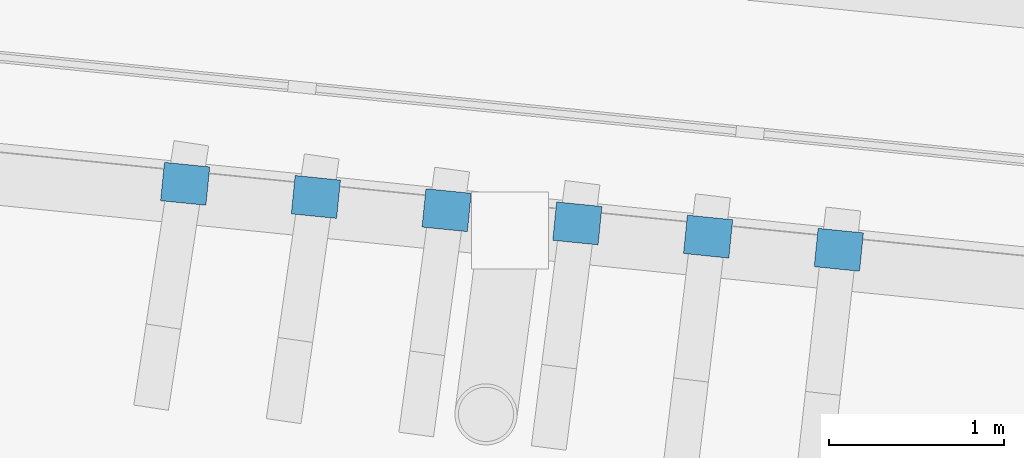
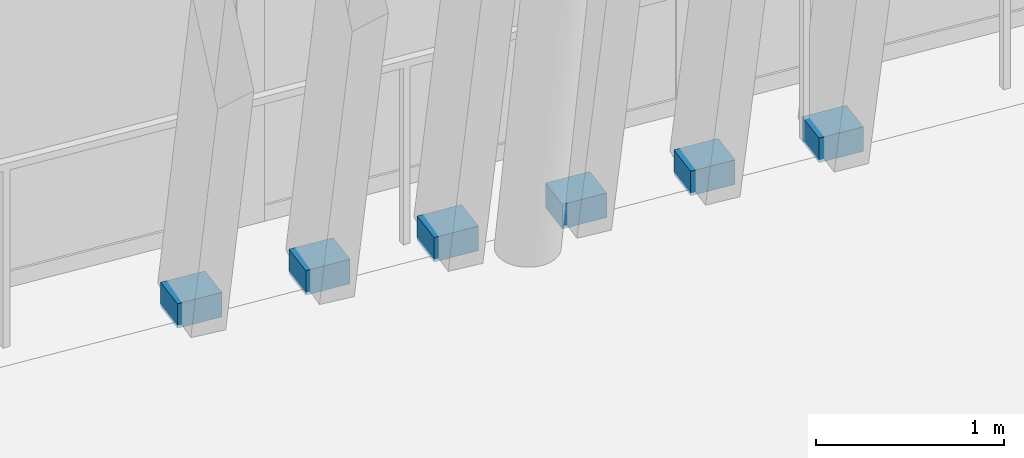
# One storey, part 138 of 178: 6 discrete accessories.
"""IFC4 building model written with IfcOpenShell, lengths in metres."""

from ifc_helpers import new_model, si_unit, direction, frame, origin, origin_2d, place, context, subcontext, project, spatial, rectangle, extrude, material, type_object, element, save


model = new_model("IFC4")

# Units and contexts
model_context = context("Model", 3, precision=1e-05, world=origin(), true_north=direction((0.0, 1.0)))
body_context = subcontext(model_context, "Body", "Model", "MODEL_VIEW")
ifc_project = project(units=[si_unit("LENGTHUNIT", "METRE"), si_unit("AREAUNIT", "SQUARE_METRE"), si_unit("VOLUMEUNIT", "CUBIC_METRE"), si_unit("PLANEANGLEUNIT", "RADIAN"), si_unit("MASSUNIT", "GRAM", prefix="KILO")], contexts=[model_context])

# Site, building, storey
site_placement = place(None, origin())
site = spatial("IfcSite", under=ifc_project, at=site_placement, CompositionType="ELEMENT")
building_placement = place(site_placement, origin())
building = spatial("IfcBuilding", under=site, at=building_placement, Name="Zlatoyarsky Gate Stadium", CompositionType="ELEMENT")
storey_placement = place(building_placement, frame((0.0, 0.0, 5.39990234375)))
storey = spatial("IfcBuildingStorey", under=building, at=storey_placement, Name="L01", CompositionType="ELEMENT", Elevation=5.39990234375)

# Discrete accessories
ifc_material = material(Name="Steel S355", Category="steel")
discrete_accessory_type = type_object("IfcDiscreteAccessoryType", Name="STEEL LOUVRE ANCHOR BRACKET 260X220X160", PredefinedType="BRACKET", material=ifc_material)
for number, where, z_axis, x_axis, name in (
    (1, (96.901611328125, 8.8955078125, -0.02001953125), (0.0, 0.0, 1.0), (0.994937160272, -0.100498990592, 0.0), "Louvre anchor bracket L01-17-1"),
    (2, (97.647705078125, 8.8203125, -0.02001953125), (0.0, 0.0, 1.0), (0.994937160272, -0.100498990592, 0.0), "Louvre anchor bracket L01-17-2"),
    (3, (98.39404296875, 8.744873046875, -0.02001953125), (0.0, 0.0, 1.0), (0.994937160272, -0.100498990592, 0.0), "Louvre anchor bracket L01-17-3"),
    (4, (99.14013671875, 8.66943359375, -0.02001953125), (0.0, 0.0, 1.0), (0.994937160272, -0.100498990592, 0.0), "Louvre anchor bracket L01-17-4"),
    (5, (99.886474609375, 8.593994140625, -0.02001953125), (0.0, 0.0, 1.0), (0.994937160272, -0.100498990592, 0.0), "Louvre anchor bracket L01-17-5"),
    (6, (100.632568359375, 8.518798828125, -0.02001953125), (0.0, 0.0, 1.0), (0.994937160272, -0.100498990592, 0.0), "Louvre anchor bracket L01-17-6"),
):
    element("IfcDiscreteAccessory", number, at=place(storey_placement, frame(where, z_axis=z_axis, x_axis=x_axis)), inside=storey, type_object=discrete_accessory_type, Name=name, PredefinedType="BRACKET", context=body_context, shape_type="SweptSolid", body=[
        extrude(rectangle(XDim=0.260009765625, YDim=0.219970703125, at=origin_2d()), origin(), (0.0, 0.0, 1.0), 0.159912109375),
    ])

save(model, "model.ifc")
